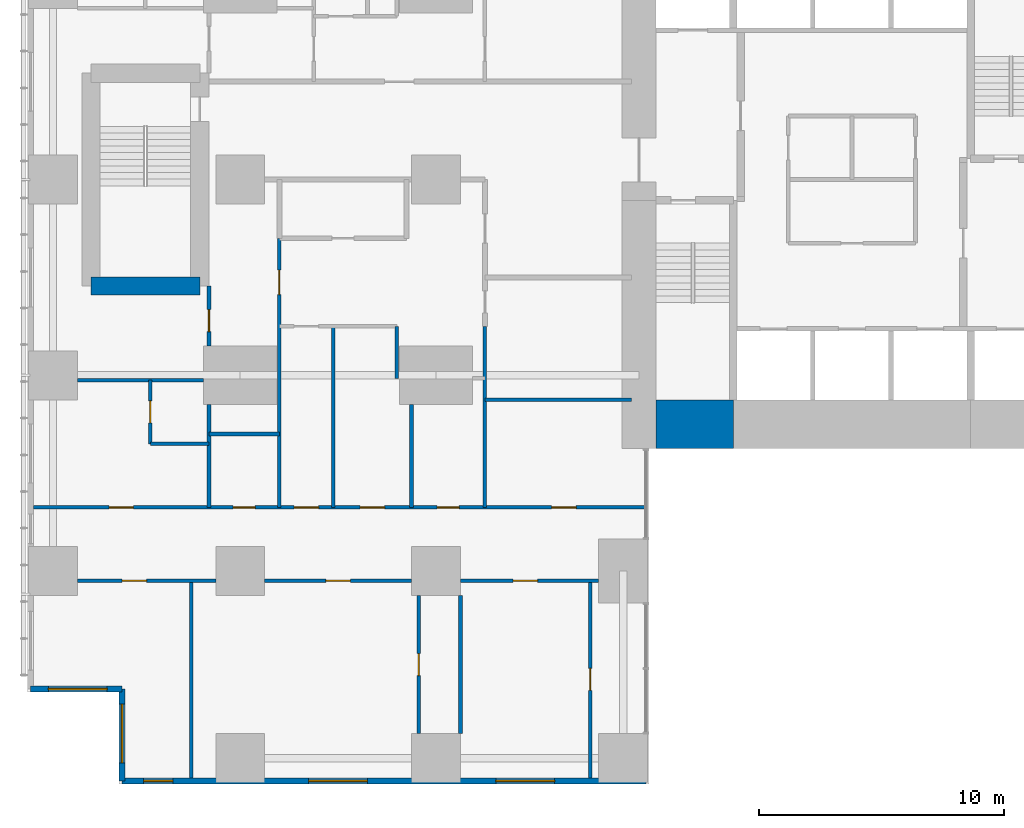
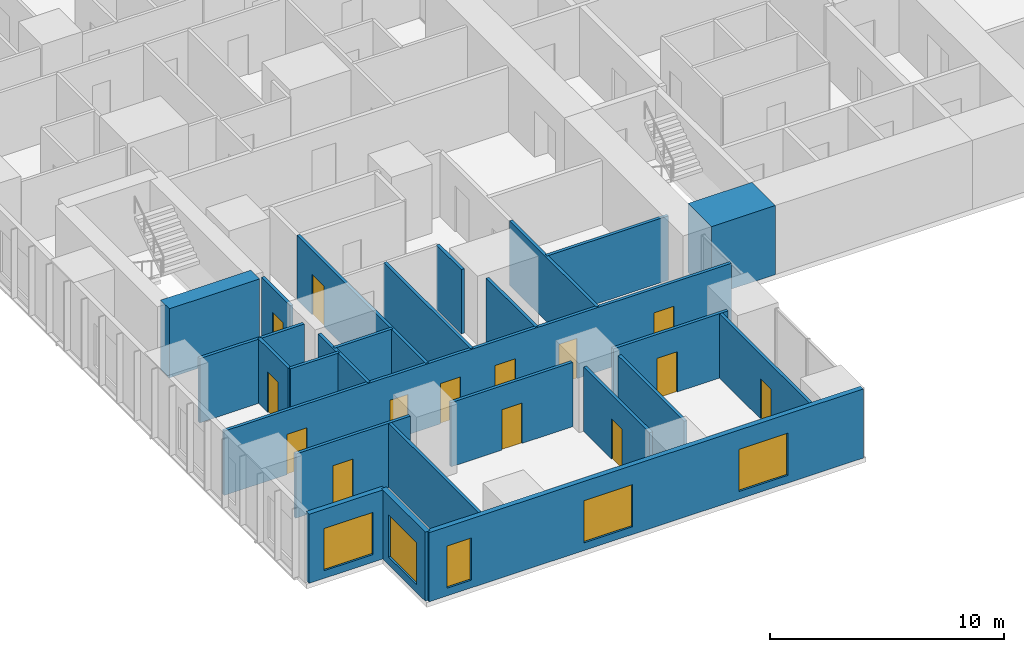
# One storey, part 12 of 20: 25 walls, 14 doors, 5 windows, 19 openings.
"""IFC4 building model written with IfcOpenShell, lengths in metres."""

from ifc_helpers import new_model, si_unit, direction, frame, frame_2d, origin, place, context, subcontext, project, spatial, rectangle, extrude, material, layer, layer_set, type_object, element, fill, save


model = new_model("IFC4")

# Units and contexts
model_context = context("Model", 3, precision=1e-05, world=origin(), true_north=direction((0.0, 1.0)))
body_context = subcontext(model_context, "Body", "Model", "MODEL_VIEW")
ifc_project = project(units=[si_unit("LENGTHUNIT", "METRE"), si_unit("AREAUNIT", "SQUARE_METRE"), si_unit("VOLUMEUNIT", "CUBIC_METRE"), si_unit("PLANEANGLEUNIT", "RADIAN"), si_unit("MASSUNIT", "GRAM", prefix="KILO")], contexts=[model_context])

# Site, building, storey
site_placement = place(None, origin())
site = spatial("IfcSite", under=ifc_project, at=site_placement, CompositionType="ELEMENT")
building_placement = place(site_placement, origin())
building = spatial("IfcBuilding", under=site, at=building_placement, Name="Cleftline Residences", CompositionType="ELEMENT")
storey_placement = place(building_placement, frame((0.0, 0.0, 107.0)))
storey = spatial("IfcBuildingStorey", under=building, at=storey_placement, Name="L27", CompositionType="ELEMENT", Elevation=107.0)

# Wall
ifc_material_1 = material(Name="Concrete B70", Category="concrete")
ifc_layer_1 = layer(ifc_material_1, 2.0)
ifc_layer_set_1 = layer_set([ifc_layer_1], Name="CORE WALL 2000")
wall_type_1 = type_object("IfcWallType", Name="CORE WALL 2000", PredefinedType="SHEAR", material=ifc_layer_set_1)
wall_1_placement = place(storey_placement, frame((25.0, 14.0, 0.0), z_axis=(0.0, 0.0, 1.0), x_axis=(1.0, 0.0, 0.0)))
element("IfcWall", 1, at=wall_1_placement, inside=storey, type_object=wall_type_1, Name="Core wall S1", PredefinedType="SHEAR", context=body_context, shape_type="SweptSolid", body=[
    extrude(rectangle(XDim=3.14990234375, YDim=2.0, at=frame_2d((1.574951171875, 0.0))), origin(), (0.0, 0.0, 1.0), 3.60009765625),
])

# Wall, opening, window
ifc_material_2 = material(Name="Rendered reinforced concrete blockwork", Category="masonry")
ifc_layer_2 = layer(ifc_material_2, 0.25)
ifc_layer_set_2 = layer_set([ifc_layer_2], Name="EXTERNAL WALL 250")
wall_type_2 = type_object("IfcWallType", Name="EXTERNAL WALL 250", PredefinedType="SOLIDWALL", material=ifc_layer_set_2)
wall_2_placement = place(storey_placement, frame((-0.574951171875, 3.175048828125, 0.0), z_axis=(0.0, 0.0, 1.0), x_axis=(1.0, 0.0, 0.0)))
wall_2 = element("IfcWall", 2, at=wall_2_placement, inside=storey, type_object=wall_type_2, Name="External wall", PredefinedType="SOLIDWALL", context=body_context, shape_type="SweptSolid", body=[
    extrude(rectangle(XDim=3.75, YDim=0.25, at=frame_2d((1.875, 0.0))), origin(), (0.0, 0.0, 1.0), 3.60009765625),
])
opening_1_placement = place(wall_2_placement, frame((0.737548828125, 0.0, 0.39990234375)))
opening_1 = element("IfcOpeningElement", 3, at=opening_1_placement, cuts=wall_2, Name="Opening W12", PredefinedType="OPENING", context=body_context, shape_type="SweptSolid", body=[
    extrude(rectangle(XDim=2.39990234375, YDim=2.199951171875, at=frame_2d((1.199951171875, 1.10009765625))), frame((0.0, 0.135009765625, 0.0), z_axis=(0.0, -1.0, 0.0), x_axis=(1.0, 0.0, 0.0)), (0.0, 0.0, 1.0), 0.27001953125),
])
ifc_material_3 = material(Name="Aluminium frame, clear double glazing", Category="aluminium")
window_type_1 = type_object("IfcWindowType", Name="WINDOW 2400X2200", PartitioningType="DOUBLE_PANEL_VERTICAL", PredefinedType="WINDOW", material=ifc_material_3)
window_1_placement = place(opening_1_placement, origin())
window_1 = element("IfcWindow", 4, at=window_1_placement, inside=storey, type_object=window_type_1, Name="Window", OverallHeight=2.199951171875, OverallWidth=2.39990234375, PartitioningType="SINGLE_PANEL", PredefinedType="WINDOW", context=body_context, shape_type="SweptSolid", body=[
    extrude(rectangle(XDim=2.39990234375, YDim=2.199951171875, at=frame_2d((1.199951171875, 1.10009765625))), frame((0.0, 0.030029296875, 0.0), z_axis=(0.0, -1.0, 0.0), x_axis=(1.0, 0.0, 0.0)), (0.0, 0.0, 1.0), 0.06005859375),
])
fill(opening_1, window_1)

wall_3_placement = place(storey_placement, frame((3.175048828125, 3.175048828125, 0.0), z_axis=(0.0, 0.0, 1.0), x_axis=(0.0, -1.0, 0.0)))
wall_3 = element("IfcWall", 5, at=wall_3_placement, inside=storey, type_object=wall_type_2, Name="External wall", PredefinedType="SOLIDWALL", context=body_context, shape_type="SweptSolid", body=[
    extrude(rectangle(XDim=3.75, YDim=0.25, at=frame_2d((1.875, 0.0))), origin(), (0.0, 0.0, 1.0), 3.60009765625),
])
opening_2_placement = place(wall_3_placement, frame((0.612548828125, 0.0, 0.39990234375)))
opening_2 = element("IfcOpeningElement", 6, at=opening_2_placement, cuts=wall_3, Name="Opening W12", PredefinedType="OPENING", context=body_context, shape_type="SweptSolid", body=[
    extrude(rectangle(XDim=2.39990234375, YDim=2.199951171875, at=frame_2d((1.199951171875, 1.10009765625))), frame((0.0, 0.135009765625, 0.0), z_axis=(0.0, -1.0, 0.0), x_axis=(1.0, 0.0, 0.0)), (0.0, 0.0, 1.0), 0.27001953125),
])
window_2_placement = place(opening_2_placement, origin())
window_2 = element("IfcWindow", 7, at=window_2_placement, inside=storey, type_object=window_type_1, Name="Window", OverallHeight=2.199951171875, OverallWidth=2.39990234375, PartitioningType="SINGLE_PANEL", PredefinedType="WINDOW", context=body_context, shape_type="SweptSolid", body=[
    extrude(rectangle(XDim=2.39990234375, YDim=2.199951171875, at=frame_2d((1.199951171875, 1.10009765625))), frame((0.0, 0.030029296875, 0.0), z_axis=(0.0, -1.0, 0.0), x_axis=(1.0, 0.0, 0.0)), (0.0, 0.0, 1.0), 0.06005859375),
])
fill(opening_2, window_2)

# Wall, openings, windows
wall_4_placement = place(storey_placement, frame((3.175048828125, -0.574951171875, 0.0), z_axis=(0.0, 0.0, 1.0), x_axis=(1.0, 0.0, 0.0)))
wall_4 = element("IfcWall", 8, at=wall_4_placement, inside=storey, type_object=wall_type_2, Name="External wall", PredefinedType="SOLIDWALL", context=body_context, shape_type="SweptSolid", body=[
    extrude(rectangle(XDim=21.39990234375, YDim=0.25, at=frame_2d((10.699951171875, 0.0))), origin(), (0.0, 0.0, 1.0), 3.60009765625),
])
opening_3_placement = place(wall_4_placement, frame((0.875, 0.0, 0.39990234375)))
opening_3 = element("IfcOpeningElement", 9, at=opening_3_placement, cuts=wall_4, Name="Opening W11", PredefinedType="OPENING", context=body_context, shape_type="SweptSolid", body=[
    extrude(rectangle(XDim=1.199951171875, YDim=2.199951171875, at=frame_2d((0.60009765625, 1.10009765625))), frame((0.0, 0.135009765625, 0.0), z_axis=(0.0, -1.0, 0.0), x_axis=(1.0, 0.0, 0.0)), (0.0, 0.0, 1.0), 0.27001953125),
])
opening_4_placement = place(wall_4_placement, frame((7.625, 0.0, 0.39990234375)))
opening_4 = element("IfcOpeningElement", 10, at=opening_4_placement, cuts=wall_4, Name="Opening W12", PredefinedType="OPENING", context=body_context, shape_type="SweptSolid", body=[
    extrude(rectangle(XDim=2.39990234375, YDim=2.199951171875, at=frame_2d((1.199951171875, 1.10009765625))), frame((0.0, 0.135009765625, 0.0), z_axis=(0.0, -1.0, 0.0), x_axis=(1.0, 0.0, 0.0)), (0.0, 0.0, 1.0), 0.27001953125),
])
opening_5_placement = place(wall_4_placement, frame((15.27490234375, 0.0, 0.39990234375)))
opening_5 = element("IfcOpeningElement", 11, at=opening_5_placement, cuts=wall_4, Name="Opening W12", PredefinedType="OPENING", context=body_context, shape_type="SweptSolid", body=[
    extrude(rectangle(XDim=2.39990234375, YDim=2.199951171875, at=frame_2d((1.199951171875, 1.10009765625))), frame((0.0, 0.135009765625, 0.0), z_axis=(0.0, -1.0, 0.0), x_axis=(1.0, 0.0, 0.0)), (0.0, 0.0, 1.0), 0.27001953125),
])
ifc_material_4 = material(Name="Aluminium frame, clear double glazing", Category="aluminium")
window_type_2 = type_object("IfcWindowType", Name="WINDOW 1200X2200", PartitioningType="DOUBLE_PANEL_VERTICAL", PredefinedType="WINDOW", material=ifc_material_4)
window_3_placement = place(opening_3_placement, origin())
window_3 = element("IfcWindow", 12, at=window_3_placement, inside=storey, type_object=window_type_2, Name="Window", OverallHeight=2.199951171875, OverallWidth=1.199951171875, PartitioningType="SINGLE_PANEL", PredefinedType="WINDOW", context=body_context, shape_type="SweptSolid", body=[
    extrude(rectangle(XDim=1.199951171875, YDim=2.199951171875, at=frame_2d((0.60009765625, 1.10009765625))), frame((0.0, 0.030029296875, 0.0), z_axis=(0.0, -1.0, 0.0), x_axis=(1.0, 0.0, 0.0)), (0.0, 0.0, 1.0), 0.06005859375),
])
fill(opening_3, window_3)
window_4_placement = place(opening_4_placement, origin())
window_4 = element("IfcWindow", 13, at=window_4_placement, inside=storey, type_object=window_type_1, Name="Window", OverallHeight=2.199951171875, OverallWidth=2.39990234375, PartitioningType="SINGLE_PANEL", PredefinedType="WINDOW", context=body_context, shape_type="SweptSolid", body=[
    extrude(rectangle(XDim=2.39990234375, YDim=2.199951171875, at=frame_2d((1.199951171875, 1.10009765625))), frame((0.0, 0.030029296875, 0.0), z_axis=(0.0, -1.0, 0.0), x_axis=(1.0, 0.0, 0.0)), (0.0, 0.0, 1.0), 0.06005859375),
])
fill(opening_4, window_4)
window_5_placement = place(opening_5_placement, origin())
window_5 = element("IfcWindow", 14, at=window_5_placement, inside=storey, type_object=window_type_1, Name="Window", OverallHeight=2.199951171875, OverallWidth=2.39990234375, PartitioningType="SINGLE_PANEL", PredefinedType="WINDOW", context=body_context, shape_type="SweptSolid", body=[
    extrude(rectangle(XDim=2.39990234375, YDim=2.199951171875, at=frame_2d((1.199951171875, 1.10009765625))), frame((0.0, 0.030029296875, 0.0), z_axis=(0.0, -1.0, 0.0), x_axis=(1.0, 0.0, 0.0)), (0.0, 0.0, 1.0), 0.06005859375),
])
fill(opening_5, window_5)

# Wall, opening, door
ifc_material_5 = material(Name="Gypsum board on steel studs", Category="steel")
ifc_layer_3 = layer(ifc_material_5, 0.14990234375)
ifc_layer_set_3 = layer_set([ifc_layer_3], Name="PARTITION 150")
wall_type_3 = type_object("IfcWallType", Name="PARTITION 150", PredefinedType="PARTITIONING", material=ifc_layer_set_3)
wall_5_placement = place(storey_placement, frame((1.35009765625, 7.60009765625, 0.0), z_axis=(0.0, 0.0, 1.0), x_axis=(1.0, 0.0, 0.0)))
wall_5 = element("IfcWall", 15, at=wall_5_placement, inside=storey, type_object=wall_type_3, Name="Partition", PredefinedType="PARTITIONING", context=body_context, shape_type="SweptSolid", body=[
    extrude(rectangle(XDim=5.64990234375, YDim=0.14990234375, at=frame_2d((2.824951171875, 0.0))), origin(), (0.0, 0.0, 1.0), 3.35009765625),
])
opening_6_placement = place(wall_5_placement, frame((1.824951171875, 0.0, 0.0)))
opening_6 = element("IfcOpeningElement", 16, at=opening_6_placement, cuts=wall_5, Name="Opening D2", PredefinedType="OPENING", context=body_context, shape_type="SweptSolid", body=[
    extrude(rectangle(XDim=1.0, YDim=2.10009765625, at=frame_2d((0.5, 1.050048828125))), frame((0.0, 0.0849609375, 0.0), z_axis=(0.0, -1.0, 0.0), x_axis=(1.0, 0.0, 0.0)), (0.0, 0.0, 1.0), 0.169921875),
])
ifc_material_6 = material(Name="Timber veneer on solid core", Category="wood")
door_type_1 = type_object("IfcDoorType", Name="DOOR 1000X2100", OperationType="SINGLE_SWING_LEFT", PredefinedType="DOOR", material=ifc_material_6)
door_1_placement = place(opening_6_placement, origin())
door_1 = element("IfcDoor", 17, at=door_1_placement, inside=storey, type_object=door_type_1, Name="Door to winter garden", OperationType="SINGLE_SWING_RIGHT", OverallHeight=2.10009765625, OverallWidth=1.0, PredefinedType="DOOR", context=body_context, shape_type="SweptSolid", body=[
    extrude(rectangle(XDim=1.0, YDim=2.10009765625, at=frame_2d((0.5, 1.050048828125))), frame((0.0, 0.02490234375, 0.0), z_axis=(0.0, -1.0, 0.0), x_axis=(1.0, 0.0, 0.0)), (0.0, 0.0, 1.0), 0.050048828125),
])
fill(opening_6, door_1)

wall_6_placement = place(storey_placement, frame((9.0, 7.60009765625, 0.0), z_axis=(0.0, 0.0, 1.0), x_axis=(1.0, 0.0, 0.0)))
wall_6 = element("IfcWall", 18, at=wall_6_placement, inside=storey, type_object=wall_type_3, Name="Partition", PredefinedType="PARTITIONING", context=body_context, shape_type="SweptSolid", body=[
    extrude(rectangle(XDim=6.0, YDim=0.14990234375, at=frame_2d((3.0, 0.0))), origin(), (0.0, 0.0, 1.0), 3.35009765625),
])
opening_7_placement = place(wall_6_placement, frame((2.5, 0.0, 0.0)))
opening_7 = element("IfcOpeningElement", 19, at=opening_7_placement, cuts=wall_6, Name="Opening D2", PredefinedType="OPENING", context=body_context, shape_type="SweptSolid", body=[
    extrude(rectangle(XDim=1.0, YDim=2.10009765625, at=frame_2d((0.5, 1.050048828125))), frame((0.0, 0.0849609375, 0.0), z_axis=(0.0, -1.0, 0.0), x_axis=(1.0, 0.0, 0.0)), (0.0, 0.0, 1.0), 0.169921875),
])
door_2_placement = place(opening_7_placement, origin())
door_2 = element("IfcDoor", 20, at=door_2_placement, inside=storey, type_object=door_type_1, Name="Door to great room", OperationType="SINGLE_SWING_LEFT", OverallHeight=2.10009765625, OverallWidth=1.0, PredefinedType="DOOR", context=body_context, shape_type="SweptSolid", body=[
    extrude(rectangle(XDim=1.0, YDim=2.10009765625, at=frame_2d((0.5, 1.050048828125))), frame((0.0, 0.02490234375, 0.0), z_axis=(0.0, -1.0, 0.0), x_axis=(1.0, 0.0, 0.0)), (0.0, 0.0, 1.0), 0.050048828125),
])
fill(opening_7, door_2)

wall_7_placement = place(storey_placement, frame((17.0, 7.60009765625, 0.0), z_axis=(0.0, 0.0, 1.0), x_axis=(1.0, 0.0, 0.0)))
wall_7 = element("IfcWall", 21, at=wall_7_placement, inside=storey, type_object=wall_type_3, Name="Partition", PredefinedType="PARTITIONING", context=body_context, shape_type="SweptSolid", body=[
    extrude(rectangle(XDim=5.64990234375, YDim=0.14990234375, at=frame_2d((2.824951171875, 0.0))), origin(), (0.0, 0.0, 1.0), 3.35009765625),
])
opening_8_placement = place(wall_7_placement, frame((2.14990234375, 0.0, 0.0)))
opening_8 = element("IfcOpeningElement", 22, at=opening_8_placement, cuts=wall_7, Name="Opening D2", PredefinedType="OPENING", context=body_context, shape_type="SweptSolid", body=[
    extrude(rectangle(XDim=1.0, YDim=2.10009765625, at=frame_2d((0.5, 1.050048828125))), frame((0.0, 0.0849609375, 0.0), z_axis=(0.0, -1.0, 0.0), x_axis=(1.0, 0.0, 0.0)), (0.0, 0.0, 1.0), 0.169921875),
])
door_3_placement = place(opening_8_placement, origin())
door_3 = element("IfcDoor", 23, at=door_3_placement, inside=storey, type_object=door_type_1, Name="Door to show kitchen", OperationType="SINGLE_SWING_RIGHT", OverallHeight=2.10009765625, OverallWidth=1.0, PredefinedType="DOOR", context=body_context, shape_type="SweptSolid", body=[
    extrude(rectangle(XDim=1.0, YDim=2.10009765625, at=frame_2d((0.5, 1.050048828125))), frame((0.0, 0.02490234375, 0.0), z_axis=(0.0, -1.0, 0.0), x_axis=(1.0, 0.0, 0.0)), (0.0, 0.0, 1.0), 0.050048828125),
])
fill(opening_8, door_3)

# Wall, openings, doors
wall_8_placement = place(storey_placement, frame((-0.449951171875, 10.60009765625, 0.0), z_axis=(0.0, 0.0, 1.0), x_axis=(1.0, 0.0, 0.0)))
wall_8 = element("IfcWall", 24, at=wall_8_placement, inside=storey, type_object=wall_type_3, Name="Partition", PredefinedType="PARTITIONING", context=body_context, shape_type="SweptSolid", body=[
    extrude(rectangle(XDim=25.010986328125, YDim=0.14990234375, at=frame_2d((12.50537109375, 0.0))), origin(), (0.0, 0.0, 1.0), 3.35009765625),
])
opening_9_placement = place(wall_8_placement, frame((10.64990234375, 0.0, 0.0)))
opening_9 = element("IfcOpeningElement", 25, at=opening_9_placement, cuts=wall_8, Name="Opening D2", PredefinedType="OPENING", context=body_context, shape_type="SweptSolid", body=[
    extrude(rectangle(XDim=1.0, YDim=2.10009765625, at=frame_2d((0.5, 1.050048828125))), frame((0.0, 0.0849609375, 0.0), z_axis=(0.0, -1.0, 0.0), x_axis=(1.0, 0.0, 0.0)), (0.0, 0.0, 1.0), 0.169921875),
])
opening_10_placement = place(wall_8_placement, frame((3.08740234375, 0.0, 0.0)))
opening_10 = element("IfcOpeningElement", 26, at=opening_10_placement, cuts=wall_8, Name="Opening D2", PredefinedType="OPENING", context=body_context, shape_type="SweptSolid", body=[
    extrude(rectangle(XDim=1.0, YDim=2.10009765625, at=frame_2d((0.5, 1.050048828125))), frame((0.0, 0.0849609375, 0.0), z_axis=(0.0, -1.0, 0.0), x_axis=(1.0, 0.0, 0.0)), (0.0, 0.0, 1.0), 0.169921875),
])
opening_11_placement = place(wall_8_placement, frame((8.16259765625, 0.0, 0.0)))
opening_11 = element("IfcOpeningElement", 27, at=opening_11_placement, cuts=wall_8, Name="Opening D1", PredefinedType="OPENING", context=body_context, shape_type="SweptSolid", body=[
    extrude(rectangle(XDim=0.89990234375, YDim=2.10009765625, at=frame_2d((0.449951171875, 1.050048828125))), frame((0.0, 0.0849609375, 0.0), z_axis=(0.0, -1.0, 0.0), x_axis=(1.0, 0.0, 0.0)), (0.0, 0.0, 1.0), 0.169921875),
])
opening_12_placement = place(wall_8_placement, frame((13.35009765625, 0.0, 0.0)))
opening_12 = element("IfcOpeningElement", 28, at=opening_12_placement, cuts=wall_8, Name="Opening D2", PredefinedType="OPENING", context=body_context, shape_type="SweptSolid", body=[
    extrude(rectangle(XDim=1.0, YDim=2.10009765625, at=frame_2d((0.5, 1.050048828125))), frame((0.0, 0.0849609375, 0.0), z_axis=(0.0, -1.0, 0.0), x_axis=(1.0, 0.0, 0.0)), (0.0, 0.0, 1.0), 0.169921875),
])
opening_13_placement = place(wall_8_placement, frame((16.5, 0.0, 0.0)))
opening_13 = element("IfcOpeningElement", 29, at=opening_13_placement, cuts=wall_8, Name="Opening D1", PredefinedType="OPENING", context=body_context, shape_type="SweptSolid", body=[
    extrude(rectangle(XDim=0.89990234375, YDim=2.10009765625, at=frame_2d((0.449951171875, 1.050048828125))), frame((0.0, 0.0849609375, 0.0), z_axis=(0.0, -1.0, 0.0), x_axis=(1.0, 0.0, 0.0)), (0.0, 0.0, 1.0), 0.169921875),
])
opening_14_placement = place(wall_8_placement, frame((21.175048828125, 0.0, 0.0)))
opening_14 = element("IfcOpeningElement", 30, at=opening_14_placement, cuts=wall_8, Name="Opening D2", PredefinedType="OPENING", context=body_context, shape_type="SweptSolid", body=[
    extrude(rectangle(XDim=1.0, YDim=2.10009765625, at=frame_2d((0.5, 1.050048828125))), frame((0.0, 0.0849609375, 0.0), z_axis=(0.0, -1.0, 0.0), x_axis=(1.0, 0.0, 0.0)), (0.0, 0.0, 1.0), 0.169921875),
])
door_4_placement = place(opening_9_placement, origin())
door_4 = element("IfcDoor", 31, at=door_4_placement, inside=storey, type_object=door_type_1, Name="Door to residence hall", OperationType="SINGLE_SWING_RIGHT", OverallHeight=2.10009765625, OverallWidth=1.0, PredefinedType="DOOR", context=body_context, shape_type="SweptSolid", body=[
    extrude(rectangle(XDim=1.0, YDim=2.10009765625, at=frame_2d((0.5, 1.050048828125))), frame((0.0, 0.02490234375, 0.0), z_axis=(0.0, -1.0, 0.0), x_axis=(1.0, 0.0, 0.0)), (0.0, 0.0, 1.0), 0.050048828125),
])
fill(opening_9, door_4)
door_5_placement = place(opening_10_placement, origin())
door_5 = element("IfcDoor", 32, at=door_5_placement, inside=storey, type_object=door_type_1, Name="Door to guest bedroom", OperationType="SINGLE_SWING_RIGHT", OverallHeight=2.10009765625, OverallWidth=1.0, PredefinedType="DOOR", context=body_context, shape_type="SweptSolid", body=[
    extrude(rectangle(XDim=1.0, YDim=2.10009765625, at=frame_2d((0.5, 1.050048828125))), frame((0.0, 0.02490234375, 0.0), z_axis=(0.0, -1.0, 0.0), x_axis=(1.0, 0.0, 0.0)), (0.0, 0.0, 1.0), 0.050048828125),
])
fill(opening_10, door_5)
door_6_placement = place(opening_12_placement, origin())
door_6 = element("IfcDoor", 33, at=door_6_placement, inside=storey, type_object=door_type_1, Name="Door to wet kitchen", OperationType="SINGLE_SWING_LEFT", OverallHeight=2.10009765625, OverallWidth=1.0, PredefinedType="DOOR", context=body_context, shape_type="SweptSolid", body=[
    extrude(rectangle(XDim=1.0, YDim=2.10009765625, at=frame_2d((0.5, 1.050048828125))), frame((0.0, 0.02490234375, 0.0), z_axis=(0.0, -1.0, 0.0), x_axis=(1.0, 0.0, 0.0)), (0.0, 0.0, 1.0), 0.050048828125),
])
fill(opening_12, door_6)
door_7_placement = place(opening_14_placement, origin())
door_7 = element("IfcDoor", 34, at=door_7_placement, inside=storey, type_object=door_type_1, Name="Door to breakfast room", OperationType="SINGLE_SWING_LEFT", OverallHeight=2.10009765625, OverallWidth=1.0, PredefinedType="DOOR", context=body_context, shape_type="SweptSolid", body=[
    extrude(rectangle(XDim=1.0, YDim=2.10009765625, at=frame_2d((0.5, 1.050048828125))), frame((0.0, 0.02490234375, 0.0), z_axis=(0.0, -1.0, 0.0), x_axis=(1.0, 0.0, 0.0)), (0.0, 0.0, 1.0), 0.050048828125),
])
fill(opening_14, door_7)
ifc_material_7 = material(Name="Timber veneer on solid core", Category="wood")
door_type_2 = type_object("IfcDoorType", Name="DOOR 900X2100", OperationType="SINGLE_SWING_LEFT", PredefinedType="DOOR", material=ifc_material_7)
door_8_placement = place(opening_11_placement, origin())
door_8 = element("IfcDoor", 35, at=door_8_placement, inside=storey, type_object=door_type_2, Name="Door to coat store", OperationType="SINGLE_SWING_RIGHT", OverallHeight=2.10009765625, OverallWidth=0.89990234375, PredefinedType="DOOR", context=body_context, shape_type="SweptSolid", body=[
    extrude(rectangle(XDim=0.89990234375, YDim=2.10009765625, at=frame_2d((0.449951171875, 1.050048828125))), frame((0.0, 0.02490234375, 0.0), z_axis=(0.0, -1.0, 0.0), x_axis=(1.0, 0.0, 0.0)), (0.0, 0.0, 1.0), 0.050048828125),
])
fill(opening_11, door_8)
door_9_placement = place(opening_13_placement, origin())
door_9 = element("IfcDoor", 36, at=door_9_placement, inside=storey, type_object=door_type_2, Name="Door to pantry", OperationType="SINGLE_SWING_LEFT", OverallHeight=2.10009765625, OverallWidth=0.89990234375, PredefinedType="DOOR", context=body_context, shape_type="SweptSolid", body=[
    extrude(rectangle(XDim=0.89990234375, YDim=2.10009765625, at=frame_2d((0.449951171875, 1.050048828125))), frame((0.0, 0.02490234375, 0.0), z_axis=(0.0, -1.0, 0.0), x_axis=(1.0, 0.0, 0.0)), (0.0, 0.0, 1.0), 0.050048828125),
])
fill(opening_13, door_9)

# Walls
wall_9_placement = place(storey_placement, frame((4.324951171875, 13.199951171875, 0.0), z_axis=(0.0, 0.0, 1.0), x_axis=(1.0, 0.0, 0.0)))
element("IfcWall", 37, at=wall_9_placement, inside=storey, type_object=wall_type_3, Name="Partition", PredefinedType="PARTITIONING", context=body_context, shape_type="SweptSolid", body=[
    extrude(rectangle(XDim=2.400146484375, YDim=0.14990234375, at=frame_2d((1.2001953125, 0.0))), origin(), (0.0, 0.0, 1.0), 3.35009765625),
])
wall_10_placement = place(storey_placement, frame((6.72509765625, 13.60009765625, 0.0), z_axis=(0.0, 0.0, 1.0), x_axis=(1.0, 0.0, 0.0)))
element("IfcWall", 38, at=wall_10_placement, inside=storey, type_object=wall_type_3, Name="Partition", PredefinedType="PARTITIONING", context=body_context, shape_type="SweptSolid", body=[
    extrude(rectangle(XDim=2.875, YDim=0.14990234375, at=frame_2d((1.4375, 0.0))), origin(), (0.0, 0.0, 1.0), 3.35009765625),
])
wall_11_placement = place(storey_placement, frame((18.0, 15.0, 0.0), z_axis=(0.0, 0.0, 1.0), x_axis=(1.0, 0.0, 0.0)))
element("IfcWall", 39, at=wall_11_placement, inside=storey, type_object=wall_type_3, Name="Partition", PredefinedType="PARTITIONING", context=body_context, shape_type="SweptSolid", body=[
    extrude(rectangle(XDim=6.0, YDim=0.14990234375, at=frame_2d((3.0, 0.0))), origin(), (0.0, 0.0, 1.0), 3.35009765625),
])
wall_12_placement = place(storey_placement, frame((1.35009765625, 15.800048828125, 0.0), z_axis=(0.0, 0.0, 1.0), x_axis=(1.0, 0.0, 0.0)))
element("IfcWall", 40, at=wall_12_placement, inside=storey, type_object=wall_type_3, Name="Partition", PredefinedType="PARTITIONING", context=body_context, shape_type="SweptSolid", body=[
    extrude(rectangle(XDim=5.14990234375, YDim=0.14990234375, at=frame_2d((2.574951171875, 0.0))), origin(), (0.0, 0.0, 1.0), 3.35009765625),
])

# Wall, opening, door
wall_13_placement = place(storey_placement, frame((4.324951171875, 13.199951171875, 0.0), z_axis=(0.0, 0.0, 1.0), x_axis=(0.0, 1.0, 0.0)))
wall_13 = element("IfcWall", 41, at=wall_13_placement, inside=storey, type_object=wall_type_3, Name="Partition", PredefinedType="PARTITIONING", context=body_context, shape_type="SweptSolid", body=[
    extrude(rectangle(XDim=2.60009765625, YDim=0.14990234375, at=frame_2d((1.300048828125, 0.0))), origin(), (0.0, 0.0, 1.0), 3.35009765625),
])
opening_15_placement = place(wall_13_placement, frame((0.85009765625, 0.0, 0.0)))
opening_15 = element("IfcOpeningElement", 42, at=opening_15_placement, cuts=wall_13, Name="Opening D1", PredefinedType="OPENING", context=body_context, shape_type="SweptSolid", body=[
    extrude(rectangle(XDim=0.89990234375, YDim=2.10009765625, at=frame_2d((0.449951171875, 1.050048828125))), frame((0.0, 0.0849609375, 0.0), z_axis=(0.0, -1.0, 0.0), x_axis=(1.0, 0.0, 0.0)), (0.0, 0.0, 1.0), 0.169921875),
])
door_10_placement = place(opening_15_placement, origin())
door_10 = element("IfcDoor", 43, at=door_10_placement, inside=storey, type_object=door_type_2, Name="Door to guest bathroom", OperationType="SINGLE_SWING_LEFT", OverallHeight=2.10009765625, OverallWidth=0.89990234375, PredefinedType="DOOR", context=body_context, shape_type="SweptSolid", body=[
    extrude(rectangle(XDim=0.89990234375, YDim=2.10009765625, at=frame_2d((0.449951171875, 1.050048828125))), frame((0.0, 0.02490234375, 0.0), z_axis=(0.0, -1.0, 0.0), x_axis=(1.0, 0.0, 0.0)), (0.0, 0.0, 1.0), 0.050048828125),
])
fill(opening_15, door_10)

# Walls
wall_14_placement = place(storey_placement, frame((6.0, -0.449951171875, 0.0), z_axis=(0.0, 0.0, 1.0), x_axis=(0.0, 1.0, 0.0)))
element("IfcWall", 44, at=wall_14_placement, inside=storey, type_object=wall_type_3, Name="Partition", PredefinedType="PARTITIONING", context=body_context, shape_type="SweptSolid", body=[
    extrude(rectangle(XDim=8.050048828125, YDim=0.14990234375, at=frame_2d((4.02490234375, 0.0))), origin(), (0.0, 0.0, 1.0), 3.35009765625),
])
wall_15_placement = place(storey_placement, frame((6.72509765625, 10.60009765625, 0.0), z_axis=(0.0, 0.0, 1.0), x_axis=(0.0, 1.0, 0.0)))
element("IfcWall", 45, at=wall_15_placement, inside=storey, type_object=wall_type_3, Name="Partition", PredefinedType="PARTITIONING", context=body_context, shape_type="SweptSolid", body=[
    extrude(rectangle(XDim=4.199951171875, YDim=0.14990234375, at=frame_2d((2.10009765625, 0.0))), origin(), (0.0, 0.0, 1.0), 3.35009765625),
])

# Wall, opening, door
wall_16_placement = place(storey_placement, frame((6.72509765625, 17.199951171875, 0.0), z_axis=(0.0, 0.0, 1.0), x_axis=(0.0, 1.0, 0.0)))
wall_16 = element("IfcWall", 46, at=wall_16_placement, inside=storey, type_object=wall_type_3, Name="Partition", PredefinedType="PARTITIONING", context=body_context, shape_type="SweptSolid", body=[
    extrude(rectangle(XDim=2.449951171875, YDim=0.14990234375, at=frame_2d((1.22509765625, 0.0))), origin(), (0.0, 0.0, 1.0), 3.35009765625),
])
opening_16_placement = place(wall_16_placement, frame((0.58740234375, 0.0, 0.0)))
opening_16 = element("IfcOpeningElement", 47, at=opening_16_placement, cuts=wall_16, Name="Opening D1", PredefinedType="OPENING", context=body_context, shape_type="SweptSolid", body=[
    extrude(rectangle(XDim=0.89990234375, YDim=2.10009765625, at=frame_2d((0.449951171875, 1.050048828125))), frame((0.0, 0.0849609375, 0.0), z_axis=(0.0, -1.0, 0.0), x_axis=(1.0, 0.0, 0.0)), (0.0, 0.0, 1.0), 0.169921875),
])
door_11_placement = place(opening_16_placement, origin())
door_11 = element("IfcDoor", 48, at=door_11_placement, inside=storey, type_object=door_type_2, Name="Door to drying loggia", OperationType="SINGLE_SWING_RIGHT", OverallHeight=2.10009765625, OverallWidth=0.89990234375, PredefinedType="DOOR", context=body_context, shape_type="SweptSolid", body=[
    extrude(rectangle(XDim=0.89990234375, YDim=2.10009765625, at=frame_2d((0.449951171875, 1.050048828125))), frame((0.0, 0.02490234375, 0.0), z_axis=(0.0, -1.0, 0.0), x_axis=(1.0, 0.0, 0.0)), (0.0, 0.0, 1.0), 0.050048828125),
])
fill(opening_16, door_11)

wall_17_placement = place(storey_placement, frame((9.60009765625, 10.60009765625, 0.0), z_axis=(0.0, 0.0, 1.0), x_axis=(0.0, 1.0, 0.0)))
wall_17 = element("IfcWall", 49, at=wall_17_placement, inside=storey, type_object=wall_type_3, Name="Partition", PredefinedType="PARTITIONING", context=body_context, shape_type="SweptSolid", body=[
    extrude(rectangle(XDim=11.0, YDim=0.14990234375, at=frame_2d((5.5, 0.0))), origin(), (0.0, 0.0, 1.0), 3.35009765625),
])
opening_17_placement = place(wall_17_placement, frame((8.699951171875, 0.0, 0.0)))
opening_17 = element("IfcOpeningElement", 50, at=opening_17_placement, cuts=wall_17, Name="Opening D2F30", PredefinedType="OPENING", context=body_context, shape_type="SweptSolid", body=[
    extrude(rectangle(XDim=1.0, YDim=2.10009765625, at=frame_2d((0.5, 1.050048828125))), frame((0.0, 0.0849609375, 0.0), z_axis=(0.0, -1.0, 0.0), x_axis=(1.0, 0.0, 0.0)), (0.0, 0.0, 1.0), 0.169921875),
])
ifc_material_8 = material(Name="Timber veneer on solid core", Category="wood")
door_type_3 = type_object("IfcDoorType", Name="DOOR 1000X2100 EI 30", OperationType="SINGLE_SWING_LEFT", PredefinedType="DOOR", material=ifc_material_8)
door_12_placement = place(opening_17_placement, origin())
door_12 = element("IfcDoor", 51, at=door_12_placement, inside=storey, type_object=door_type_3, Name="Door to residence lobby", OperationType="SINGLE_SWING_LEFT", OverallHeight=2.10009765625, OverallWidth=1.0, PredefinedType="DOOR", context=body_context, shape_type="SweptSolid", body=[
    extrude(rectangle(XDim=1.0, YDim=2.10009765625, at=frame_2d((0.5, 1.050048828125))), frame((0.0, 0.02490234375, 0.0), z_axis=(0.0, -1.0, 0.0), x_axis=(1.0, 0.0, 0.0)), (0.0, 0.0, 1.0), 0.050048828125),
])
fill(opening_17, door_12)

# Walls
wall_18_placement = place(storey_placement, frame((11.800048828125, 10.60009765625, 0.0), z_axis=(0.0, 0.0, 1.0), x_axis=(0.0, 1.0, 0.0)))
element("IfcWall", 52, at=wall_18_placement, inside=storey, type_object=wall_type_3, Name="Partition", PredefinedType="PARTITIONING", context=body_context, shape_type="SweptSolid", body=[
    extrude(rectangle(XDim=7.39990234375, YDim=0.14990234375, at=frame_2d((3.699951171875, 0.0))), origin(), (0.0, 0.0, 1.0), 3.35009765625),
])
wall_19_placement = place(storey_placement, frame((14.39990234375, 15.875, 0.0), z_axis=(0.0, 0.0, 1.0), x_axis=(0.0, 1.0, 0.0)))
element("IfcWall", 53, at=wall_19_placement, inside=storey, type_object=wall_type_3, Name="Partition", PredefinedType="PARTITIONING", context=body_context, shape_type="SweptSolid", body=[
    extrude(rectangle(XDim=2.125, YDim=0.14990234375, at=frame_2d((1.0625, 0.0))), origin(), (0.0, 0.0, 1.0), 3.35009765625),
])
wall_20_placement = place(storey_placement, frame((15.0, 10.60009765625, 0.0), z_axis=(0.0, 0.0, 1.0), x_axis=(0.0, 1.0, 0.0)))
element("IfcWall", 54, at=wall_20_placement, inside=storey, type_object=wall_type_3, Name="Partition", PredefinedType="PARTITIONING", context=body_context, shape_type="SweptSolid", body=[
    extrude(rectangle(XDim=4.199951171875, YDim=0.14990234375, at=frame_2d((2.10009765625, 0.0))), origin(), (0.0, 0.0, 1.0), 3.35009765625),
])

# Wall, opening, door
wall_21_placement = place(storey_placement, frame((15.300048828125, 1.35009765625, 0.0), z_axis=(0.0, 0.0, 1.0), x_axis=(0.0, 1.0, 0.0)))
wall_21 = element("IfcWall", 55, at=wall_21_placement, inside=storey, type_object=wall_type_3, Name="Partition", PredefinedType="PARTITIONING", context=body_context, shape_type="SweptSolid", body=[
    extrude(rectangle(XDim=5.64990234375, YDim=0.14990234375, at=frame_2d((2.824951171875, 0.0))), origin(), (0.0, 0.0, 1.0), 3.35009765625),
])
opening_18_placement = place(wall_21_placement, frame((2.375, 0.0, 0.0)))
opening_18 = element("IfcOpeningElement", 56, at=opening_18_placement, cuts=wall_21, Name="Opening D1", PredefinedType="OPENING", context=body_context, shape_type="SweptSolid", body=[
    extrude(rectangle(XDim=0.89990234375, YDim=2.10009765625, at=frame_2d((0.449951171875, 1.050048828125))), frame((0.0, 0.0849609375, 0.0), z_axis=(0.0, -1.0, 0.0), x_axis=(1.0, 0.0, 0.0)), (0.0, 0.0, 1.0), 0.169921875),
])
door_13_placement = place(opening_18_placement, origin())
door_13 = element("IfcDoor", 57, at=door_13_placement, inside=storey, type_object=door_type_2, Name="Door to store room", OperationType="SINGLE_SWING_LEFT", OverallHeight=2.10009765625, OverallWidth=0.89990234375, PredefinedType="DOOR", context=body_context, shape_type="SweptSolid", body=[
    extrude(rectangle(XDim=0.89990234375, YDim=2.10009765625, at=frame_2d((0.449951171875, 1.050048828125))), frame((0.0, 0.02490234375, 0.0), z_axis=(0.0, -1.0, 0.0), x_axis=(1.0, 0.0, 0.0)), (0.0, 0.0, 1.0), 0.050048828125),
])
fill(opening_18, door_13)

# Walls
wall_22_placement = place(storey_placement, frame((17.0, 1.35009765625, 0.0), z_axis=(0.0, 0.0, 1.0), x_axis=(0.0, 1.0, 0.0)))
element("IfcWall", 58, at=wall_22_placement, inside=storey, type_object=wall_type_3, Name="Partition", PredefinedType="PARTITIONING", context=body_context, shape_type="SweptSolid", body=[
    extrude(rectangle(XDim=5.64990234375, YDim=0.14990234375, at=frame_2d((2.824951171875, 0.0))), origin(), (0.0, 0.0, 1.0), 3.35009765625),
])
wall_23_placement = place(storey_placement, frame((18.0, 10.60009765625, 0.0), z_axis=(0.0, 0.0, 1.0), x_axis=(0.0, 1.0, 0.0)))
element("IfcWall", 59, at=wall_23_placement, inside=storey, type_object=wall_type_3, Name="Partition", PredefinedType="PARTITIONING", context=body_context, shape_type="SweptSolid", body=[
    extrude(rectangle(XDim=7.39990234375, YDim=0.14990234375, at=frame_2d((3.699951171875, 0.0))), origin(), (0.0, 0.0, 1.0), 3.35009765625),
])

# Wall, opening, door
wall_24_placement = place(storey_placement, frame((22.300048828125, -0.449951171875, 0.0), z_axis=(0.0, 0.0, 1.0), x_axis=(0.0, 1.0, 0.0)))
wall_24 = element("IfcWall", 60, at=wall_24_placement, inside=storey, type_object=wall_type_3, Name="Partition", PredefinedType="PARTITIONING", context=body_context, shape_type="SweptSolid", body=[
    extrude(rectangle(XDim=8.050048828125, YDim=0.14990234375, at=frame_2d((4.02490234375, 0.0))), origin(), (0.0, 0.0, 1.0), 3.35009765625),
])
opening_19_placement = place(wall_24_placement, frame((3.574951171875, 0.0, 0.0)))
opening_19 = element("IfcOpeningElement", 61, at=opening_19_placement, cuts=wall_24, Name="Opening D1", PredefinedType="OPENING", context=body_context, shape_type="SweptSolid", body=[
    extrude(rectangle(XDim=0.89990234375, YDim=2.10009765625, at=frame_2d((0.449951171875, 1.050048828125))), frame((0.0, 0.0849609375, 0.0), z_axis=(0.0, -1.0, 0.0), x_axis=(1.0, 0.0, 0.0)), (0.0, 0.0, 1.0), 0.169921875),
])
door_14_placement = place(opening_19_placement, origin())
door_14 = element("IfcDoor", 62, at=door_14_placement, inside=storey, type_object=door_type_2, Name="Door to larder", OperationType="SINGLE_SWING_LEFT", OverallHeight=2.10009765625, OverallWidth=0.89990234375, PredefinedType="DOOR", context=body_context, shape_type="SweptSolid", body=[
    extrude(rectangle(XDim=0.89990234375, YDim=2.10009765625, at=frame_2d((0.449951171875, 1.050048828125))), frame((0.0, 0.02490234375, 0.0), z_axis=(0.0, -1.0, 0.0), x_axis=(1.0, 0.0, 0.0)), (0.0, 0.0, 1.0), 0.050048828125),
])
fill(opening_19, door_14)

# Wall
ifc_material_9 = material(Name="Concrete B70", Category="concrete")
ifc_layer_4 = layer(ifc_material_9, 0.75)
ifc_layer_set_4 = layer_set([ifc_layer_4], Name="SHEAR WALL 750")
wall_type_4 = type_object("IfcWallType", Name="SHEAR WALL 750", PredefinedType="SHEAR", material=ifc_layer_set_4)
wall_25_placement = place(storey_placement, frame((1.89990234375, 19.64990234375, 0.0), z_axis=(0.0, 0.0, 1.0), x_axis=(1.0, 0.0, 0.0)))
element("IfcWall", 63, at=wall_25_placement, inside=storey, type_object=wall_type_4, Name="Wing shear wall", PredefinedType="SHEAR", context=body_context, shape_type="SweptSolid", body=[
    extrude(rectangle(XDim=4.4501953125, YDim=0.75, at=frame_2d((2.22509765625, 0.0))), origin(), (0.0, 0.0, 1.0), 3.60009765625),
])

save(model, "model.ifc")
